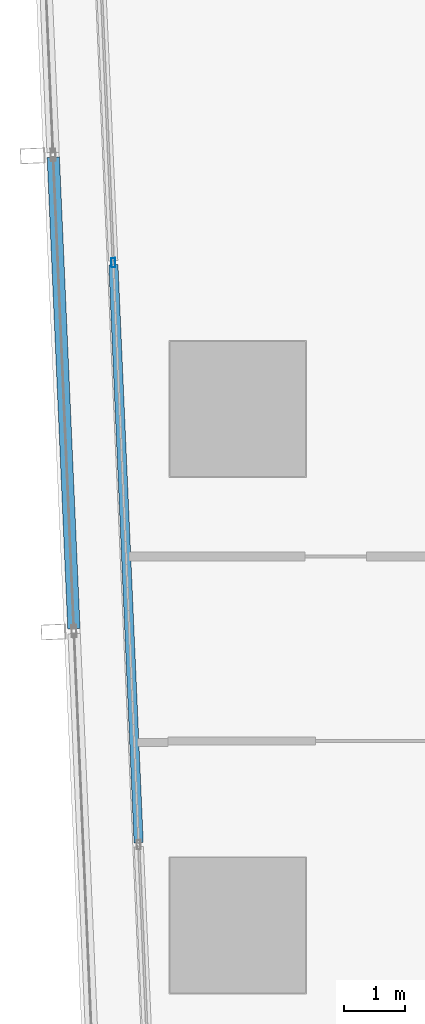
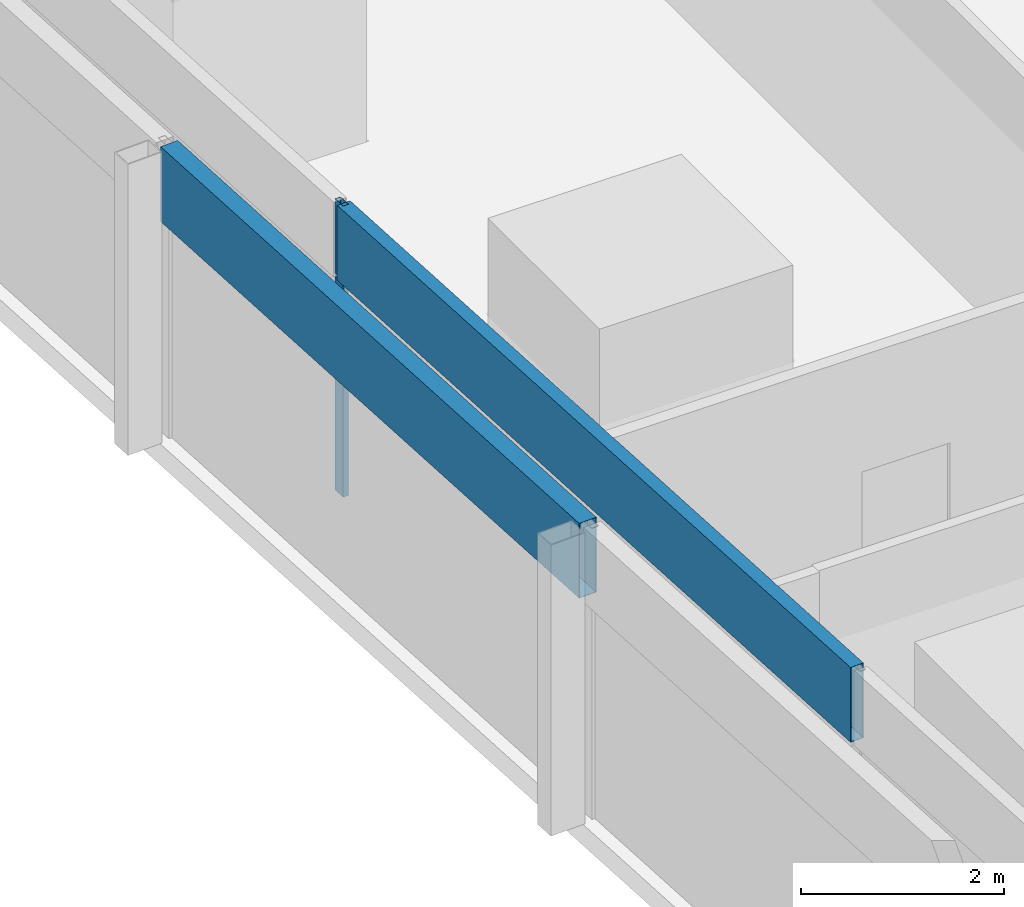
# One storey, part 8 of 44: 3 members, 2 elements without a shape of their own.
"""IFC4 building model written with IfcOpenShell, lengths in metres."""

import ifcopenshell
import ifcopenshell.guid

model = None  # the IFC model being written
_history = None  # IfcOwnerHistory: only IFC2X3 demands one
_inside = {}  # id of a spatial element -> (the spatial element, [elements in it])
_under = {}  # id of a project, library or spatial element -> (it, [spatial elements below it])
_declared = {}  # id of a project -> (the project, [libraries it declares])
_typed = {}  # id of a type object -> (the type object, [elements of that type])
_made_of = {}  # id of a material, layer set ... -> (it, [elements and type objects made of it])


def new_model(schema):
    """Start an empty IFC model of exactly this schema.

    Asked for "IFC4X3", IfcOpenShell would pick the latest addendum, in which some entities
    have other attributes; the version numbers below select the first issue.
    IFC2X3 requires an IfcOwnerHistory on every rooted entity: one is made here for all.
    """
    global model, _history
    if schema == "IFC4X3":
        model = ifcopenshell.file(schema_version=(4, 3, 0, 0))
    else:
        model = ifcopenshell.file(schema=schema)
    _inside.clear()
    _under.clear()
    _declared.clear()
    _typed.clear()
    _made_of.clear()
    _history = None
    if model.schema == "IFC2X3":
        org = make("IfcOrganization", Name="unknown")
        user = make(
            "IfcPersonAndOrganization",
            ThePerson=make("IfcPerson", FamilyName="unknown"),
            TheOrganization=org,
        )
        app = make(
            "IfcApplication",
            ApplicationDeveloper=org,
            Version="unknown",
            ApplicationFullName="unknown",
            ApplicationIdentifier="unknown",
        )
        _history = make(
            "IfcOwnerHistory",
            OwningUser=user,
            OwningApplication=app,
            ChangeAction="ADDED",
            CreationDate=0,
        )
    return model


def make(cls, **values):
    """One entity of the class cls with the attributes given. An attribute that is None is left unset."""
    return model.create_entity(
        cls, **{name: value for name, value in values.items() if value is not None}
    )


def rooted(cls, **values):
    """An entity with a GlobalId (a new one), such as an element, a storey or a relation."""
    return make(cls, GlobalId=ifcopenshell.guid.new(), OwnerHistory=_history, **values)


def si_unit(unit_type, name, prefix=None):
    """IfcSIUnit, for example si_unit("LENGTHUNIT", "METRE", prefix="MILLI")."""
    return make("IfcSIUnit", UnitType=unit_type, Prefix=prefix, Name=name)


def assignment(units):
    """IfcUnitAssignment: the units of a project."""
    return None if units is None else make("IfcUnitAssignment", Units=units)


def point(xyz):
    """IfcCartesianPoint."""
    return None if xyz is None else make("IfcCartesianPoint", Coordinates=xyz)


def direction(xyz):
    """IfcDirection."""
    return None if xyz is None else make("IfcDirection", DirectionRatios=xyz)


def frame(location, z_axis=None, x_axis=None):
    """IfcAxis2Placement3D, a coordinate frame: its origin and axes. An axis left out is left unset."""
    return make(
        "IfcAxis2Placement3D",
        Location=point(location),
        Axis=direction(z_axis),
        RefDirection=direction(x_axis),
    )


def frame_2d(location, x_axis=None):
    """IfcAxis2Placement2D, a coordinate frame in the plane: its origin and x axis."""
    return make(
        "IfcAxis2Placement2D", Location=point(location), RefDirection=direction(x_axis)
    )


def origin():
    """The frame at (0, 0, 0) with its axes left unset."""
    return frame((0.0, 0.0, 0.0))


def origin_2d():
    """The frame at (0, 0) in the plane with its x axis left unset."""
    return frame_2d((0.0, 0.0))


def place(relative_to, where):
    """IfcLocalPlacement: puts the frame where relative to a parent placement (None: the world)."""
    return make(
        "IfcLocalPlacement", PlacementRelTo=relative_to, RelativePlacement=where
    )


def context(
    kind, dimensions, precision=None, world=None, true_north=None, identifier=None
):
    """IfcGeometricRepresentationContext, for example the 3D "Model" context."""
    return make(
        "IfcGeometricRepresentationContext",
        ContextIdentifier=identifier,
        ContextType=kind,
        CoordinateSpaceDimension=dimensions,
        Precision=precision,
        WorldCoordinateSystem=world,
        TrueNorth=true_north,
    )


def subcontext(parent, identifier, kind, view, scale=None):
    """IfcGeometricRepresentationSubContext, for example "Body" below "Model"."""
    return make(
        "IfcGeometricRepresentationSubContext",
        ContextIdentifier=identifier,
        ContextType=kind,
        ParentContext=parent,
        TargetScale=scale,
        TargetView=view,
    )


def project(units=None, contexts=None):
    """IfcProject with its units and contexts."""
    return rooted(
        "IfcProject",
        Name="project",
        RepresentationContexts=contexts,
        UnitsInContext=assignment(units),
    )


def spatial(cls, under=None, at=None, **own):
    """A site, building, storey or space (cls), placed at a placement, below another one or the project."""
    s = rooted(cls, ObjectPlacement=at, **own)
    if under is not None:
        _under.setdefault(under.id(), (under, []))[1].append(s)
    return s


def profile(cls, at=None, kind="AREA", **sizes):
    """A parametric profile (cls). Its sizes go by their IFC names, for example OverallWidth=200.0."""
    return make(cls, ProfileType=kind, Position=at, **sizes)


def hollow_rectangle(**sizes):
    """IfcRectangleHollowProfileDef."""
    return profile("IfcRectangleHollowProfileDef", **sizes)


def extrude(swept, where, along, depth):
    """IfcExtrudedAreaSolid: the profile swept, set in the frame where, extruded along a direction by depth."""
    return make(
        "IfcExtrudedAreaSolid",
        SweptArea=swept,
        Position=where,
        ExtrudedDirection=direction(along),
        Depth=depth,
    )


def shape(context_of_items, identifier, shape_type, items):
    """IfcShapeRepresentation: the items that make up one representation, for example the "Body"."""
    return make(
        "IfcShapeRepresentation",
        ContextOfItems=context_of_items,
        RepresentationIdentifier=identifier,
        RepresentationType=shape_type,
        Items=items,
    )


def material(Name=None, Category=None):
    """IfcMaterial."""
    return make("IfcMaterial", Name=Name, Category=Category)


def material_profile(
    of_material, cross_section, Name=None, Category=None, Priority=None
):
    """IfcMaterialProfile: a cross section and its material."""
    return make(
        "IfcMaterialProfile",
        Name=Name,
        Material=of_material,
        Profile=cross_section,
        Priority=Priority,
        Category=Category,
    )


def profile_set(profiles, Name=None, composite=None):
    """IfcMaterialProfileSet."""
    return make(
        "IfcMaterialProfileSet",
        Name=Name,
        MaterialProfiles=profiles,
        CompositeProfile=composite,
    )


def made_of(thing, what):
    """Note that an element or type object is made of a material, layer set ...; save() writes the relation."""
    if what is not None:
        _made_of.setdefault(what.id(), (what, []))[1].append(thing)
    return thing


def type_object(cls, material=None, **own):
    """A type object (cls), such as IfcWallType, which elements share."""
    return made_of(rooted(cls, **own), material)


def element(
    cls,
    number,
    at=None,
    inside=None,
    cuts=None,
    type_object=None,
    material=None,
    context=None,
    identifier="Body",
    shape_type=None,
    held_by="IfcProductDefinitionShape",
    body=None,
    shapes=None,
    **own,
):
    """One element of the class cls, such as IfcWall. Its Tag is "e" and its number.

    at: its placement. inside: the storey or other place that contains it. cuts: it is an
    opening in that element (IfcRelVoidsElement). A single representation is given by context,
    identifier, shape_type and body (its items); several are given by shapes. held_by: the class
    of the entity that holds the representations. save() writes the other relations.
    """
    e = rooted(cls, Tag="e%d" % number, ObjectPlacement=at, **own)
    if body is not None:
        shapes = [shape(context, identifier, shape_type, body)]
    if shapes is not None:
        e.Representation = make(held_by, Representations=shapes)
    if inside is not None:
        _inside.setdefault(inside.id(), (inside, []))[1].append(e)
    if cuts is not None:
        rooted(
            "IfcRelVoidsElement", RelatingBuildingElement=cuts, RelatedOpeningElement=e
        )
    if type_object is not None:
        _typed.setdefault(type_object.id(), (type_object, []))[1].append(e)
    return made_of(e, material)


def aggregate(whole, parts):
    """IfcRelAggregates: a whole, such as a stair, and the parts it consists of."""
    return rooted("IfcRelAggregates", RelatingObject=whole, RelatedObjects=parts)


def save(model, path):
    """Write the relations noted so far, then the file.

    IfcRelAggregates (storeys below a building ...), IfcRelContainedInSpatialStructure (elements
    in a storey), IfcRelDefinesByType, IfcRelAssociatesMaterial and IfcRelDeclares: one each for
    every whole, place, type object, material and project.
    """
    for whole, parts in _under.values():
        aggregate(whole, parts)
    for where, things in _inside.values():
        rooted(
            "IfcRelContainedInSpatialStructure",
            RelatedElements=things,
            RelatingStructure=where,
        )
    for kind, things in _typed.values():
        rooted("IfcRelDefinesByType", RelatedObjects=things, RelatingType=kind)
    for what, things in _made_of.values():
        rooted("IfcRelAssociatesMaterial", RelatedObjects=things, RelatingMaterial=what)
    for by, libraries in _declared.values():
        rooted("IfcRelDeclares", RelatingContext=by, RelatedDefinitions=libraries)
    model.write(path)


model = new_model("IFC4")

# Units and contexts
model_context = context("Model", 3, precision=1e-05, world=origin(), true_north=direction((0.0, 1.0)))
body_context = subcontext(model_context, "Body", "Model", "MODEL_VIEW")
ifc_project = project(units=[si_unit("LENGTHUNIT", "METRE"), si_unit("AREAUNIT", "SQUARE_METRE"), si_unit("VOLUMEUNIT", "CUBIC_METRE"), si_unit("PLANEANGLEUNIT", "RADIAN"), si_unit("MASSUNIT", "GRAM", prefix="KILO")], contexts=[model_context])

# Site, building, storey
site_placement = place(None, origin())
site = spatial("IfcSite", under=ifc_project, at=site_placement, CompositionType="ELEMENT")
building_placement = place(site_placement, origin())
building = spatial("IfcBuilding", under=site, at=building_placement, Name="Rekha Terrace Tower", CompositionType="ELEMENT")
storey_placement = place(building_placement, frame((0.0, 0.0, 47.89990234375)))
storey = spatial("IfcBuildingStorey", under=building, at=storey_placement, Name="L11", CompositionType="ELEMENT", Elevation=47.89990234375)

# Curtain wall, members
ifc_material_1 = material(Name="Aluminium framing", Category="aluminium")
curtain_wall_type_1 = type_object("IfcCurtainWallType", Name="CW1 double skin inner glazing", PredefinedType="USERDEFINED", material=ifc_material_1)
curtain_wall_1_placement = place(storey_placement, origin())
curtain_wall_1 = element("IfcCurtainWall", 1, at=curtain_wall_1_placement, inside=storey, type_object=curtain_wall_type_1, Name="CW1 double skin inner glazing", ObjectType="DOUBLE SKIN INNER GLAZING", PredefinedType="USERDEFINED")
ifc_material_2 = material(Name="Aluminium mullion section", Category="aluminium")
ifc_material_profile_1 = material_profile(ifc_material_2, hollow_rectangle(XDim=0.06494140625, YDim=0.14990234375, WallThickness=0.00390625, at=origin_2d()), Name="AL RHS 65x150")
ifc_profile_set_1 = profile_set([ifc_material_profile_1], Name="Aluminium mullion section")
member_type_1 = type_object("IfcMemberType", Name="CW1 mullion RHS 65 x 150", PredefinedType="MULLION", material=ifc_profile_set_1)
member_1_placement = place(storey_placement, frame((6.37646484375, 35.978271484375, 0.0), z_axis=(0.0, 0.0, 1.0), x_axis=(0.999045462133, 0.043682543337, 0.0)))
member_1 = element("IfcMember", 2, at=member_1_placement, type_object=member_type_1, Name="CW1 mullion 2", PredefinedType="MULLION", context=body_context, shape_type="SweptSolid", body=[
    extrude(hollow_rectangle(XDim=0.06494140625, YDim=0.14990234375, WallThickness=0.00390625, at=origin_2d()), origin(), (0.0, 0.0, 1.0), 3.5),
])
ifc_material_3 = material(Name="Insulated aluminium spandrel box", Category="aluminium")
ifc_material_profile_2 = material_profile(ifc_material_3, hollow_rectangle(XDim=0.14990234375, YDim=0.89990234375, WallThickness=0.0029296875, at=origin_2d()), Name="AL SPANDREL BOX 150x900")
ifc_profile_set_2 = profile_set([ifc_material_profile_2], Name="Insulated aluminium spandrel box")
member_type_2 = type_object("IfcMemberType", Name="CW1 spandrel transom 150 x 900", PredefinedType="USERDEFINED", material=ifc_profile_set_2)
member_2_placement = place(storey_placement, frame((6.3779296875, 35.94580078125, 3.050048828125), z_axis=(0.043666917606, -0.999046145234, 0.0), x_axis=(0.999046145234, 0.043666917606, 0.0)))
member_2 = element("IfcMember", 3, at=member_2_placement, type_object=member_type_2, Name="CW1 spandrel transom 2", ObjectType="TRANSOM", PredefinedType="USERDEFINED", context=body_context, shape_type="SweptSolid", body=[
    extrude(hollow_rectangle(XDim=0.14990234375, YDim=0.89990234375, WallThickness=0.0029296875, at=origin_2d()), origin(), (0.0, 0.0, 1.0), 9.40966796875),
])
aggregate(curtain_wall_1, [member_1, member_2])

# Curtain wall, member
curtain_wall_type_2 = type_object("IfcCurtainWallType", Name="CW2 double skin outer glazing", PredefinedType="USERDEFINED", material=ifc_material_1)
curtain_wall_2_placement = place(storey_placement, origin())
curtain_wall_2 = element("IfcCurtainWall", 4, at=curtain_wall_2_placement, inside=storey, type_object=curtain_wall_type_2, Name="CW2 double skin outer glazing", ObjectType="DOUBLE SKIN OUTER GLAZING", PredefinedType="USERDEFINED")
ifc_material_profile_3 = material_profile(ifc_material_3, hollow_rectangle(XDim=0.199951171875, YDim=0.89990234375, WallThickness=0.0029296875, at=origin_2d()), Name="AL SPANDREL BOX 200x900")
ifc_profile_set_3 = profile_set([ifc_material_profile_3], Name="Insulated aluminium spandrel box")
member_type_3 = type_object("IfcMemberType", Name="CW2 spandrel transom 200 x 900", PredefinedType="USERDEFINED", material=ifc_profile_set_3)
member_3_placement = place(storey_placement, frame((5.400634765625, 37.690185546875, 3.050048828125), z_axis=(0.04369270591, -0.99904501773, 0.0), x_axis=(0.99904501773, 0.04369270591, 0.0)))
member_3 = element("IfcMember", 5, at=member_3_placement, type_object=member_type_3, Name="CW2 spandrel transom 2", ObjectType="TRANSOM", PredefinedType="USERDEFINED", context=body_context, shape_type="SweptSolid", body=[
    extrude(hollow_rectangle(XDim=0.199951171875, YDim=0.89990234375, WallThickness=0.0029296875, at=origin_2d()), origin(), (0.0, 0.0, 1.0), 7.671875),
])
aggregate(curtain_wall_2, [member_3])

save(model, "model.ifc")
